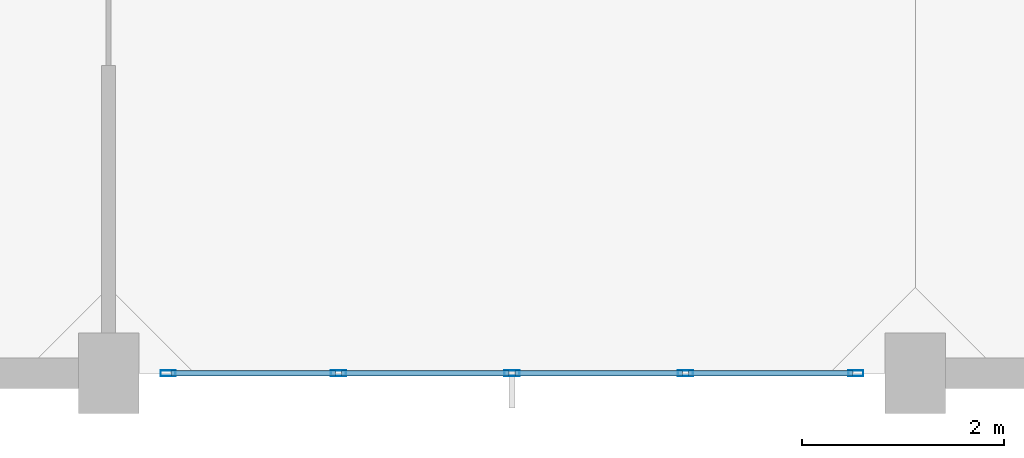
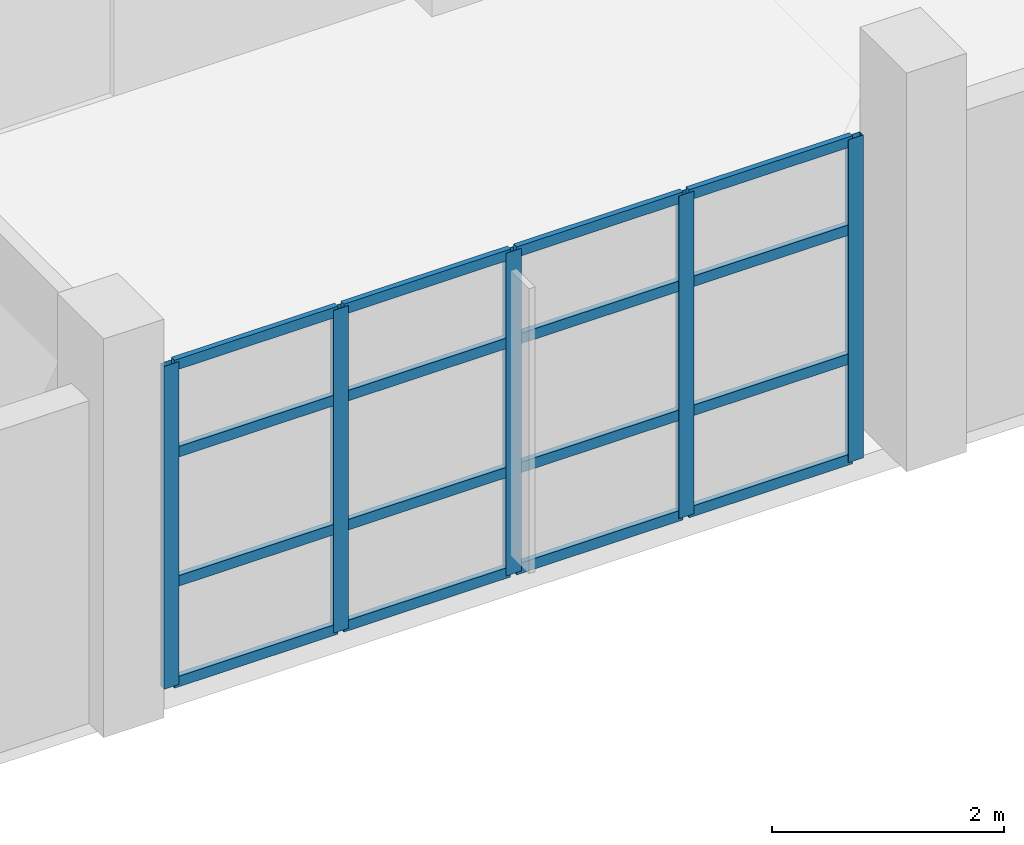
# One storey, part 5 of 27: 21 members, 1 element without a shape of its own.
"""IFC4 building model written with IfcOpenShell, lengths in metres."""

from ifc_helpers import new_model, si_unit, direction, frame, origin, origin_2d, place, context, subcontext, project, spatial, hollow_rectangle, extrude, material, layer, layer_set, material_profile, profile_set, type_object, element, aggregate, save


model = new_model("IFC4")

# Units and contexts
model_context = context("Model", 3, precision=1e-05, world=origin(), true_north=direction((0.0, 1.0)))
body_context = subcontext(model_context, "Body", "Model", "MODEL_VIEW")
ifc_project = project(units=[si_unit("LENGTHUNIT", "METRE"), si_unit("AREAUNIT", "SQUARE_METRE"), si_unit("VOLUMEUNIT", "CUBIC_METRE"), si_unit("PLANEANGLEUNIT", "RADIAN"), si_unit("MASSUNIT", "GRAM", prefix="KILO")], contexts=[model_context])

# Site, building, storey
site_placement = place(None, origin())
site = spatial("IfcSite", under=ifc_project, at=site_placement, CompositionType="ELEMENT")
building_placement = place(site_placement, origin())
building = spatial("IfcBuilding", under=site, at=building_placement, Name="Canggui Botanical Conservatory", CompositionType="ELEMENT")
storey_placement = place(building_placement, frame((0.0, 0.0, 23.39990234375)))
storey = spatial("IfcBuildingStorey", under=building, at=storey_placement, Name="L06", CompositionType="ELEMENT", Elevation=23.39990234375)

# Curtain wall, members
ifc_material = material(Name="Thermally Broken Aluminium", Category="aluminium")
ifc_layer = layer(ifc_material, 0.14990234375, Name="Thermally Broken Aluminium", Category="aluminium")
ifc_layer_set = layer_set([ifc_layer], Name="Thermally Broken Aluminium")
curtain_wall_type = type_object("IfcCurtainWallType", Name="CW-UNIT-C", PredefinedType="USERDEFINED", material=ifc_layer_set)
curtain_wall_placement = place(storey_placement, origin())
curtain_wall = element("IfcCurtainWall", 1, at=curtain_wall_placement, inside=storey, type_object=curtain_wall_type, Name="Facade Curtain Wall CW-TWR-L06-02", ObjectType="UNITISED CURTAIN WALL", PredefinedType="USERDEFINED")
ifc_material_profile_1 = material_profile(ifc_material, hollow_rectangle(XDim=0.06005859375, YDim=0.14990234375, WallThickness=0.00341796875, at=origin_2d()), Name="CWM 60x150x3.5")
ifc_profile_set_1 = profile_set([ifc_material_profile_1], Name="Thermally Broken Aluminium")
member_type_1 = type_object("IfcMemberType", Name="CWM-03", PredefinedType="MULLION", material=ifc_profile_set_1)
member_1_placement = place(storey_placement, frame((169.409912109375, 26.0, 0.0), z_axis=(0.0, 0.0, 1.0), x_axis=(0.0, -1.0, 0.0)))
member_1 = element("IfcMember", 2, at=member_1_placement, type_object=member_type_1, Name="CW-03 mullion 1", PredefinedType="MULLION", context=body_context, shape_type="SweptSolid", body=[
    extrude(hollow_rectangle(XDim=0.06005859375, YDim=0.14990234375, WallThickness=0.00341796875, at=origin_2d()), origin(), (0.0, 0.0, 1.0), 3.400146484375),
])
member_2_placement = place(storey_placement, frame((167.719970703125, 26.0, 0.0), z_axis=(0.0, 0.0, 1.0), x_axis=(0.0, -1.0, 0.0)))
member_2 = element("IfcMember", 3, at=member_2_placement, type_object=member_type_1, Name="CW-03 mullion 2", PredefinedType="MULLION", context=body_context, shape_type="SweptSolid", body=[
    extrude(hollow_rectangle(XDim=0.06005859375, YDim=0.14990234375, WallThickness=0.00341796875, at=origin_2d()), origin(), (0.0, 0.0, 1.0), 3.400146484375),
])
member_3_placement = place(storey_placement, frame((166.0, 26.0, 0.0), z_axis=(0.0, 0.0, 1.0), x_axis=(0.0, -1.0, 0.0)))
member_3 = element("IfcMember", 4, at=member_3_placement, type_object=member_type_1, Name="CW-03 mullion 3", PredefinedType="MULLION", context=body_context, shape_type="SweptSolid", body=[
    extrude(hollow_rectangle(XDim=0.06005859375, YDim=0.14990234375, WallThickness=0.00341796875, at=origin_2d()), origin(), (0.0, 0.0, 1.0), 3.400146484375),
])
member_4_placement = place(storey_placement, frame((164.280029296875, 26.0, 0.0), z_axis=(0.0, 0.0, 1.0), x_axis=(0.0, -1.0, 0.0)))
member_4 = element("IfcMember", 5, at=member_4_placement, type_object=member_type_1, Name="CW-03 mullion 4", PredefinedType="MULLION", context=body_context, shape_type="SweptSolid", body=[
    extrude(hollow_rectangle(XDim=0.06005859375, YDim=0.14990234375, WallThickness=0.00341796875, at=origin_2d()), origin(), (0.0, 0.0, 1.0), 3.400146484375),
])
member_5_placement = place(storey_placement, frame((162.590087890625, 26.0, 0.0), z_axis=(0.0, 0.0, 1.0), x_axis=(0.0, -1.0, 0.0)))
member_5 = element("IfcMember", 6, at=member_5_placement, type_object=member_type_1, Name="CW-03 mullion 5", PredefinedType="MULLION", context=body_context, shape_type="SweptSolid", body=[
    extrude(hollow_rectangle(XDim=0.06005859375, YDim=0.14990234375, WallThickness=0.00341796875, at=origin_2d()), origin(), (0.0, 0.0, 1.0), 3.400146484375),
])
ifc_material_profile_2 = material_profile(ifc_material, hollow_rectangle(XDim=0.054931640625, YDim=0.110107421875, WallThickness=0.0029296875, at=origin_2d()), Name="CWT 55x110x3")
ifc_profile_set_2 = profile_set([ifc_material_profile_2], Name="Thermally Broken Aluminium")
member_type_2 = type_object("IfcMemberType", Name="CWT-03", PredefinedType="USERDEFINED", material=ifc_profile_set_2)
member_6_placement = place(storey_placement, frame((169.3798828125, 26.0, 0.027587890625), z_axis=(-1.0, 0.0, 0.0), x_axis=(0.0, -1.0, 0.0)))
member_6 = element("IfcMember", 7, at=member_6_placement, type_object=member_type_2, Name="CW-03 transom 1.1", ObjectType="TRANSOM", PredefinedType="USERDEFINED", context=body_context, shape_type="SweptSolid", body=[
    extrude(hollow_rectangle(XDim=0.054931640625, YDim=0.110107421875, WallThickness=0.0029296875, at=origin_2d()), origin(), (0.0, 0.0, 1.0), 1.6298828125),
])
member_7_placement = place(storey_placement, frame((169.3798828125, 26.0, 1.088134765625), z_axis=(-1.0, 0.0, 0.0), x_axis=(0.0, -1.0, 0.0)))
member_7 = element("IfcMember", 8, at=member_7_placement, type_object=member_type_2, Name="CW-03 transom 1.2", ObjectType="TRANSOM", PredefinedType="USERDEFINED", context=body_context, shape_type="SweptSolid", body=[
    extrude(hollow_rectangle(XDim=0.054931640625, YDim=0.110107421875, WallThickness=0.0029296875, at=origin_2d()), origin(), (0.0, 0.0, 1.0), 1.6298828125),
])
member_8_placement = place(storey_placement, frame((169.3798828125, 26.0, 2.447998046875), z_axis=(-1.0, 0.0, 0.0), x_axis=(0.0, -1.0, 0.0)))
member_8 = element("IfcMember", 9, at=member_8_placement, type_object=member_type_2, Name="CW-03 transom 1.3", ObjectType="TRANSOM", PredefinedType="USERDEFINED", context=body_context, shape_type="SweptSolid", body=[
    extrude(hollow_rectangle(XDim=0.054931640625, YDim=0.110107421875, WallThickness=0.0029296875, at=origin_2d()), origin(), (0.0, 0.0, 1.0), 1.6298828125),
])
member_9_placement = place(storey_placement, frame((169.3798828125, 26.0, 3.37255859375), z_axis=(-1.0, 0.0, 0.0), x_axis=(0.0, -1.0, 0.0)))
member_9 = element("IfcMember", 10, at=member_9_placement, type_object=member_type_2, Name="CW-03 transom 1.4", ObjectType="TRANSOM", PredefinedType="USERDEFINED", context=body_context, shape_type="SweptSolid", body=[
    extrude(hollow_rectangle(XDim=0.054931640625, YDim=0.110107421875, WallThickness=0.0029296875, at=origin_2d()), origin(), (0.0, 0.0, 1.0), 1.6298828125),
])
member_10_placement = place(storey_placement, frame((167.68994140625, 26.0, 0.027587890625), z_axis=(-1.0, 0.0, 0.0), x_axis=(0.0, -1.0, 0.0)))
member_10 = element("IfcMember", 11, at=member_10_placement, type_object=member_type_2, Name="CW-03 transom 2.1", ObjectType="TRANSOM", PredefinedType="USERDEFINED", context=body_context, shape_type="SweptSolid", body=[
    extrude(hollow_rectangle(XDim=0.054931640625, YDim=0.110107421875, WallThickness=0.0029296875, at=origin_2d()), origin(), (0.0, 0.0, 1.0), 1.659912109375),
])
member_11_placement = place(storey_placement, frame((167.68994140625, 26.0, 1.088134765625), z_axis=(-1.0, 0.0, 0.0), x_axis=(0.0, -1.0, 0.0)))
member_11 = element("IfcMember", 12, at=member_11_placement, type_object=member_type_2, Name="CW-03 transom 2.2", ObjectType="TRANSOM", PredefinedType="USERDEFINED", context=body_context, shape_type="SweptSolid", body=[
    extrude(hollow_rectangle(XDim=0.054931640625, YDim=0.110107421875, WallThickness=0.0029296875, at=origin_2d()), origin(), (0.0, 0.0, 1.0), 1.659912109375),
])
member_12_placement = place(storey_placement, frame((167.68994140625, 26.0, 2.447998046875), z_axis=(-1.0, 0.0, 0.0), x_axis=(0.0, -1.0, 0.0)))
member_12 = element("IfcMember", 13, at=member_12_placement, type_object=member_type_2, Name="CW-03 transom 2.3", ObjectType="TRANSOM", PredefinedType="USERDEFINED", context=body_context, shape_type="SweptSolid", body=[
    extrude(hollow_rectangle(XDim=0.054931640625, YDim=0.110107421875, WallThickness=0.0029296875, at=origin_2d()), origin(), (0.0, 0.0, 1.0), 1.659912109375),
])
member_13_placement = place(storey_placement, frame((167.68994140625, 26.0, 3.37255859375), z_axis=(-1.0, 0.0, 0.0), x_axis=(0.0, -1.0, 0.0)))
member_13 = element("IfcMember", 14, at=member_13_placement, type_object=member_type_2, Name="CW-03 transom 2.4", ObjectType="TRANSOM", PredefinedType="USERDEFINED", context=body_context, shape_type="SweptSolid", body=[
    extrude(hollow_rectangle(XDim=0.054931640625, YDim=0.110107421875, WallThickness=0.0029296875, at=origin_2d()), origin(), (0.0, 0.0, 1.0), 1.659912109375),
])
member_14_placement = place(storey_placement, frame((165.969970703125, 26.0, 0.027587890625), z_axis=(-1.0, 0.0, 0.0), x_axis=(0.0, -1.0, 0.0)))
member_14 = element("IfcMember", 15, at=member_14_placement, type_object=member_type_2, Name="CW-03 transom 3.1", ObjectType="TRANSOM", PredefinedType="USERDEFINED", context=body_context, shape_type="SweptSolid", body=[
    extrude(hollow_rectangle(XDim=0.054931640625, YDim=0.110107421875, WallThickness=0.0029296875, at=origin_2d()), origin(), (0.0, 0.0, 1.0), 1.659912109375),
])
member_15_placement = place(storey_placement, frame((165.969970703125, 26.0, 1.088134765625), z_axis=(-1.0, 0.0, 0.0), x_axis=(0.0, -1.0, 0.0)))
member_15 = element("IfcMember", 16, at=member_15_placement, type_object=member_type_2, Name="CW-03 transom 3.2", ObjectType="TRANSOM", PredefinedType="USERDEFINED", context=body_context, shape_type="SweptSolid", body=[
    extrude(hollow_rectangle(XDim=0.054931640625, YDim=0.110107421875, WallThickness=0.0029296875, at=origin_2d()), origin(), (0.0, 0.0, 1.0), 1.659912109375),
])
member_16_placement = place(storey_placement, frame((165.969970703125, 26.0, 2.447998046875), z_axis=(-1.0, 0.0, 0.0), x_axis=(0.0, -1.0, 0.0)))
member_16 = element("IfcMember", 17, at=member_16_placement, type_object=member_type_2, Name="CW-03 transom 3.3", ObjectType="TRANSOM", PredefinedType="USERDEFINED", context=body_context, shape_type="SweptSolid", body=[
    extrude(hollow_rectangle(XDim=0.054931640625, YDim=0.110107421875, WallThickness=0.0029296875, at=origin_2d()), origin(), (0.0, 0.0, 1.0), 1.659912109375),
])
member_17_placement = place(storey_placement, frame((165.969970703125, 26.0, 3.37255859375), z_axis=(-1.0, 0.0, 0.0), x_axis=(0.0, -1.0, 0.0)))
member_17 = element("IfcMember", 18, at=member_17_placement, type_object=member_type_2, Name="CW-03 transom 3.4", ObjectType="TRANSOM", PredefinedType="USERDEFINED", context=body_context, shape_type="SweptSolid", body=[
    extrude(hollow_rectangle(XDim=0.054931640625, YDim=0.110107421875, WallThickness=0.0029296875, at=origin_2d()), origin(), (0.0, 0.0, 1.0), 1.659912109375),
])
member_18_placement = place(storey_placement, frame((164.25, 26.0, 0.027587890625), z_axis=(-1.0, 0.0, 0.0), x_axis=(0.0, -1.0, 0.0)))
member_18 = element("IfcMember", 19, at=member_18_placement, type_object=member_type_2, Name="CW-03 transom 4.1", ObjectType="TRANSOM", PredefinedType="USERDEFINED", context=body_context, shape_type="SweptSolid", body=[
    extrude(hollow_rectangle(XDim=0.054931640625, YDim=0.110107421875, WallThickness=0.0029296875, at=origin_2d()), origin(), (0.0, 0.0, 1.0), 1.6298828125),
])
member_19_placement = place(storey_placement, frame((164.25, 26.0, 1.088134765625), z_axis=(-1.0, 0.0, 0.0), x_axis=(0.0, -1.0, 0.0)))
member_19 = element("IfcMember", 20, at=member_19_placement, type_object=member_type_2, Name="CW-03 transom 4.2", ObjectType="TRANSOM", PredefinedType="USERDEFINED", context=body_context, shape_type="SweptSolid", body=[
    extrude(hollow_rectangle(XDim=0.054931640625, YDim=0.110107421875, WallThickness=0.0029296875, at=origin_2d()), origin(), (0.0, 0.0, 1.0), 1.6298828125),
])
member_20_placement = place(storey_placement, frame((164.25, 26.0, 2.447998046875), z_axis=(-1.0, 0.0, 0.0), x_axis=(0.0, -1.0, 0.0)))
member_20 = element("IfcMember", 21, at=member_20_placement, type_object=member_type_2, Name="CW-03 transom 4.3", ObjectType="TRANSOM", PredefinedType="USERDEFINED", context=body_context, shape_type="SweptSolid", body=[
    extrude(hollow_rectangle(XDim=0.054931640625, YDim=0.110107421875, WallThickness=0.0029296875, at=origin_2d()), origin(), (0.0, 0.0, 1.0), 1.6298828125),
])
member_21_placement = place(storey_placement, frame((164.25, 26.0, 3.37255859375), z_axis=(-1.0, 0.0, 0.0), x_axis=(0.0, -1.0, 0.0)))
member_21 = element("IfcMember", 22, at=member_21_placement, type_object=member_type_2, Name="CW-03 transom 4.4", ObjectType="TRANSOM", PredefinedType="USERDEFINED", context=body_context, shape_type="SweptSolid", body=[
    extrude(hollow_rectangle(XDim=0.054931640625, YDim=0.110107421875, WallThickness=0.0029296875, at=origin_2d()), origin(), (0.0, 0.0, 1.0), 1.6298828125),
])
aggregate(curtain_wall, [member_1, member_2, member_3, member_4, member_5, member_6, member_7, member_8, member_9, member_10, member_11, member_12, member_13, member_14, member_15, member_16, member_17, member_18, member_19, member_20, member_21])

save(model, "model.ifc")
